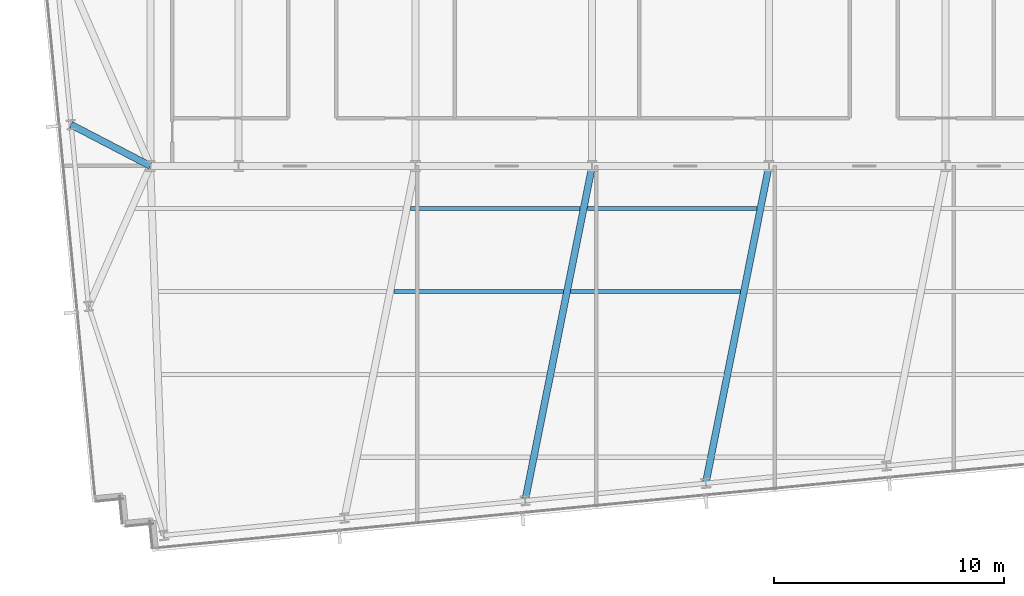
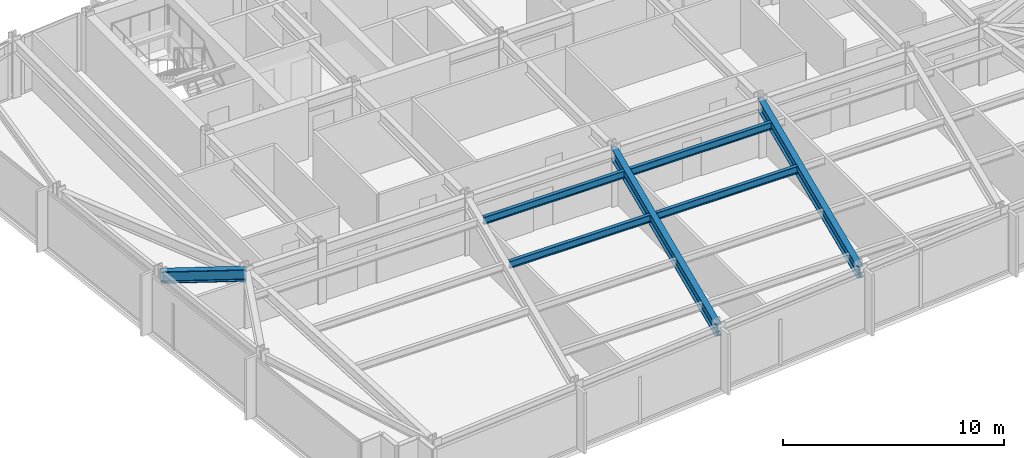
# One storey, part 5 of 32: 7 beams.
"""IFC4 building model written with IfcOpenShell, lengths in metres."""

from ifc_helpers import new_model, si_unit, direction, frame, origin, origin_2d, place, context, subcontext, project, spatial, i_section, extrude, material, material_profile, profile_set, type_object, element, save


model = new_model("IFC4")

# Units and contexts
model_context = context("Model", 3, precision=1e-05, world=origin(), true_north=direction((0.0, 1.0)))
body_context = subcontext(model_context, "Body", "Model", "MODEL_VIEW")
ifc_project = project(units=[si_unit("LENGTHUNIT", "METRE"), si_unit("AREAUNIT", "SQUARE_METRE"), si_unit("VOLUMEUNIT", "CUBIC_METRE"), si_unit("PLANEANGLEUNIT", "RADIAN"), si_unit("MASSUNIT", "GRAM", prefix="KILO")], contexts=[model_context])

# Site, building, storey
site_placement = place(None, origin())
site = spatial("IfcSite", under=ifc_project, at=site_placement, CompositionType="ELEMENT")
building_placement = place(site_placement, origin())
building = spatial("IfcBuilding", under=site, at=building_placement, Name="Yelkora Congress Tower", CompositionType="ELEMENT")
storey_placement = place(building_placement, frame((0.0, 0.0, 93.10009765625)))
storey = spatial("IfcBuildingStorey", under=building, at=storey_placement, Name="L24", CompositionType="ELEMENT", Elevation=93.10009765625)

# Beams
ifc_material = material(Name="Steel S355J2", Category="steel")
ifc_material_profile_1 = material_profile(ifc_material, i_section(OverallWidth=0.300048828125, OverallDepth=0.64990234375, WebThickness=0.01611328125, FlangeThickness=0.031005859375, FilletRadius=0.027099609375, at=origin_2d()), Name="HEB 650")
ifc_profile_set_1 = profile_set([ifc_material_profile_1], Name="Steel S355J2")
beam_type_1 = type_object("IfcBeamType", Name="BM-GIRD-HEB650", PredefinedType="BEAM", material=ifc_profile_set_1)
beam_1_placement = place(storey_placement, frame((35.48486328125, 10.656005859375, 2.85498046875), z_axis=(0.196521264673, 0.980499562739, 0.0), x_axis=(-0.980499562739, 0.196521264673, 0.0)))
element("IfcBeam", 1, at=beam_1_placement, inside=storey, type_object=beam_type_1, Name="L24 Primary Frame Girder S03", PredefinedType="BEAM", context=body_context, shape_type="SweptSolid", body=[
    extrude(i_section(OverallWidth=0.300048828125, OverallDepth=0.64990234375, WebThickness=0.01611328125, FlangeThickness=0.031005859375, FilletRadius=0.027099609375, at=origin_2d()), origin(), (0.0, 0.0, 1.0), 14.833251953125),
])
beam_2_placement = place(storey_placement, frame((43.334228515625, 11.411865234375, 2.85498046875), z_axis=(0.195311238928, 0.980741311432, 0.0), x_axis=(-0.980741311432, 0.195311238928, 0.0)))
element("IfcBeam", 2, at=beam_2_placement, inside=storey, type_object=beam_type_1, Name="L24 Primary Frame Girder S04", PredefinedType="BEAM", context=body_context, shape_type="SweptSolid", body=[
    extrude(i_section(OverallWidth=0.300048828125, OverallDepth=0.64990234375, WebThickness=0.01611328125, FlangeThickness=0.031005859375, FilletRadius=0.027099609375, at=origin_2d()), origin(), (0.0, 0.0, 1.0), 14.058837890625),
])
beam_3_placement = place(storey_placement, frame((15.757080078125, 26.990478515625, 2.85498046875), z_axis=(0.887192078676, -0.461400276912, 0.0), x_axis=(0.461400276912, 0.887192078676, 0.0)))
element("IfcBeam", 3, at=beam_3_placement, inside=storey, type_object=beam_type_1, Name="L24 Primary Frame Girder W02", PredefinedType="BEAM", context=body_context, shape_type="SweptSolid", body=[
    extrude(i_section(OverallWidth=0.300048828125, OverallDepth=0.64990234375, WebThickness=0.01611328125, FlangeThickness=0.031005859375, FilletRadius=0.027099609375, at=origin_2d()), origin(), (0.0, 0.0, 1.0), 3.880615234375),
])
ifc_material_profile_2 = material_profile(ifc_material, i_section(OverallWidth=0.179931640625, OverallDepth=0.39990234375, WebThickness=0.008544921875, FlangeThickness=0.013427734375, FilletRadius=0.02099609375, at=origin_2d()), Name="IPE 400")
ifc_profile_set_2 = profile_set([ifc_material_profile_2], Name="Steel S355J2")
beam_type_2 = type_object("IfcBeamType", Name="BM-JOIST-IPE400", PredefinedType="JOIST", material=ifc_profile_set_2)
beam_4_placement = place(storey_placement, frame((29.780029296875, 19.744384765625, 2.97998046875), z_axis=(1.0, 0.0, 0.0), x_axis=(0.0, 1.0, 0.0)))
element("IfcBeam", 4, at=beam_4_placement, inside=storey, type_object=beam_type_2, Name="L24 Composite Floor Joist 12", PredefinedType="JOIST", context=body_context, shape_type="SweptSolid", body=[
    extrude(i_section(OverallWidth=0.179931640625, OverallDepth=0.39990234375, WebThickness=0.008544921875, FlangeThickness=0.013427734375, FilletRadius=0.02099609375, at=origin_2d()), origin(), (0.0, 0.0, 1.0), 7.366455078125),
])
beam_5_placement = place(storey_placement, frame((37.466552734375, 19.744384765625, 2.97998046875), z_axis=(1.0, 0.0, 0.0), x_axis=(0.0, 1.0, 0.0)))
element("IfcBeam", 5, at=beam_5_placement, inside=storey, type_object=beam_type_2, Name="L24 Composite Floor Joist 13", PredefinedType="JOIST", context=body_context, shape_type="SweptSolid", body=[
    extrude(i_section(OverallWidth=0.179931640625, OverallDepth=0.39990234375, WebThickness=0.008544921875, FlangeThickness=0.013427734375, FilletRadius=0.02099609375, at=origin_2d()), origin(), (0.0, 0.0, 1.0), 7.366943359375),
])
beam_6_placement = place(storey_placement, frame((30.505859375, 23.344482421875, 2.97998046875), z_axis=(1.0, 0.0, 0.0), x_axis=(0.0, 1.0, 0.0)))
element("IfcBeam", 6, at=beam_6_placement, inside=storey, type_object=beam_type_2, Name="L24 Composite Floor Joist 19", PredefinedType="JOIST", context=body_context, shape_type="SweptSolid", body=[
    extrude(i_section(OverallWidth=0.179931640625, OverallDepth=0.39990234375, WebThickness=0.008544921875, FlangeThickness=0.013427734375, FilletRadius=0.02099609375, at=origin_2d()), origin(), (0.0, 0.0, 1.0), 7.3623046875),
])
beam_7_placement = place(storey_placement, frame((38.18798828125, 23.344482421875, 2.97998046875), z_axis=(1.0, 0.0, 0.0), x_axis=(0.0, 1.0, 0.0)))
element("IfcBeam", 7, at=beam_7_placement, inside=storey, type_object=beam_type_2, Name="L24 Composite Floor Joist 20", PredefinedType="JOIST", context=body_context, shape_type="SweptSolid", body=[
    extrude(i_section(OverallWidth=0.179931640625, OverallDepth=0.39990234375, WebThickness=0.008544921875, FlangeThickness=0.013427734375, FilletRadius=0.02099609375, at=origin_2d()), origin(), (0.0, 0.0, 1.0), 7.362548828125),
])

save(model, "model.ifc")
